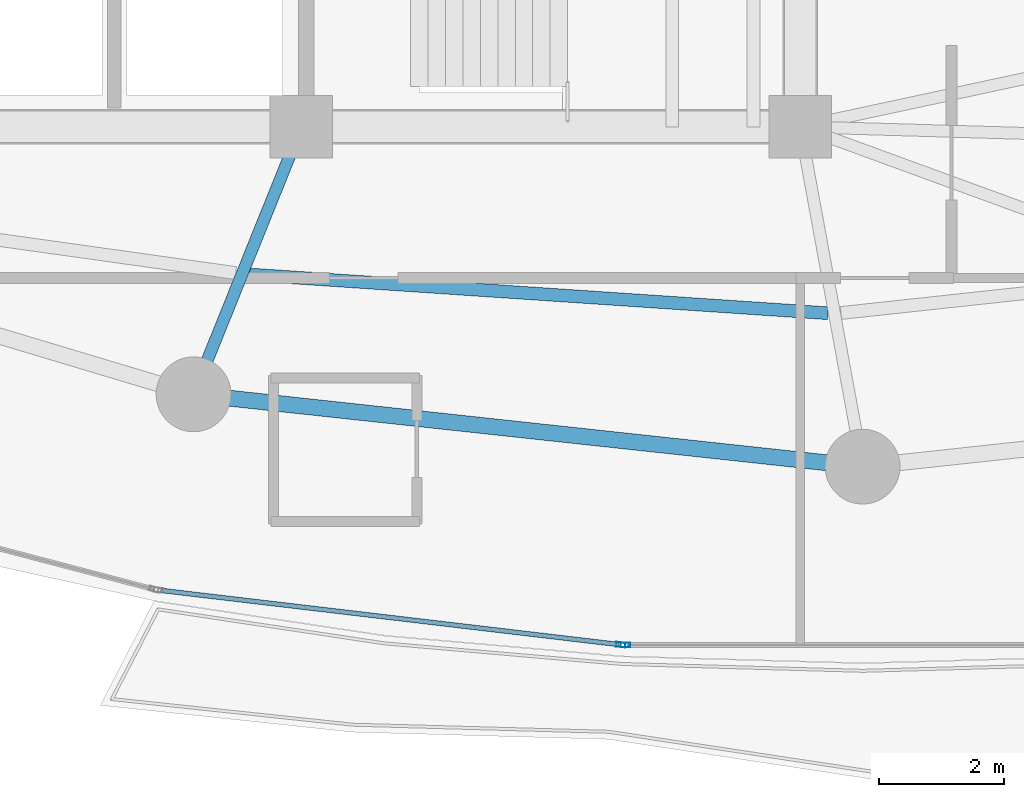
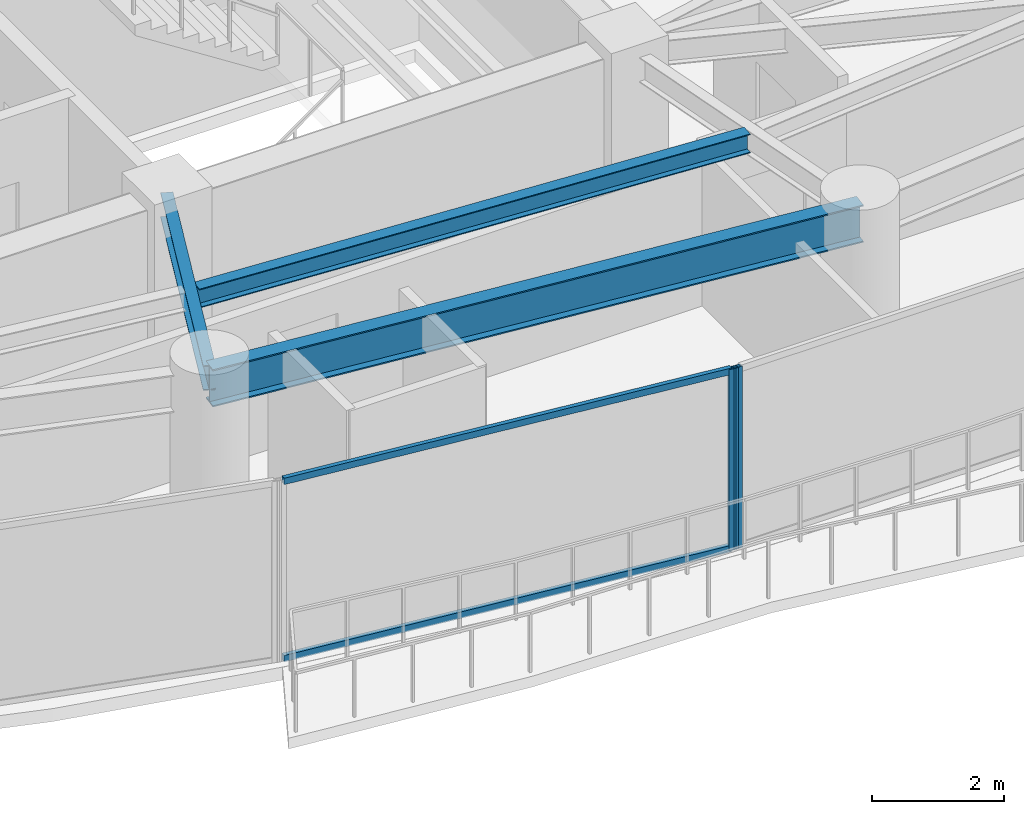
# One storey, part 6 of 34: 4 members, 3 beams, 2 elements without a shape of their own.
"""IFC4 building model written with IfcOpenShell, lengths in metres."""

from ifc_helpers import new_model, si_unit, direction, frame, origin, origin_2d, place, context, subcontext, project, spatial, hollow_rectangle, i_section, extrude, material, layer, layer_set, material_profile, profile_set, type_object, element, aggregate, save


model = new_model("IFC4")

# Units and contexts
model_context = context("Model", 3, precision=1e-05, world=origin(), true_north=direction((0.0, 1.0)))
body_context = subcontext(model_context, "Body", "Model", "MODEL_VIEW")
ifc_project = project(units=[si_unit("LENGTHUNIT", "METRE"), si_unit("AREAUNIT", "SQUARE_METRE"), si_unit("VOLUMEUNIT", "CUBIC_METRE"), si_unit("PLANEANGLEUNIT", "RADIAN"), si_unit("MASSUNIT", "GRAM", prefix="KILO")], contexts=[model_context])

# Site, building, storey
site_placement = place(None, origin())
site = spatial("IfcSite", under=ifc_project, at=site_placement, CompositionType="ELEMENT")
building_placement = place(site_placement, origin())
building = spatial("IfcBuilding", under=site, at=building_placement, Name="Kazevale Care Tower and Concert Hall", CompositionType="ELEMENT")
storey_placement = place(building_placement, frame((0.0, 0.0, 163.800048828125)))
storey = spatial("IfcBuildingStorey", under=building, at=storey_placement, Name="L43", CompositionType="ELEMENT", Elevation=163.800048828125)

# Curtain wall, member
ifc_material_1 = material(Name="Aluminium 6063-T6 and Low-E Glass", Category="aluminium")
ifc_layer = layer(ifc_material_1, 0.179931640625)
ifc_layer_set = layer_set([ifc_layer], Name="Aluminium 6063-T6 and Low-E Glass")
curtain_wall_type = type_object("IfcCurtainWallType", Name="Sheltered Concave Balcony Curtain Wall CW-5", PredefinedType="NOTDEFINED", material=ifc_layer_set)
curtain_wall_1_placement = place(storey_placement, origin())
curtain_wall_1 = element("IfcCurtainWall", 1, at=curtain_wall_1_placement, inside=storey, type_object=curtain_wall_type, Name="cw:L43:f06", PredefinedType="NOTDEFINED")
ifc_material_2 = material(Name="Aluminium 6063-T6", Category="aluminium")
ifc_material_profile_1 = material_profile(ifc_material_2, hollow_rectangle(XDim=0.074951171875, YDim=0.14990234375, WallThickness=0.00390625, at=origin_2d()), Name="ALU75x150x4")
ifc_profile_set_1 = profile_set([ifc_material_profile_1], Name="Aluminium 6063-T6")
member_type_1 = type_object("IfcMemberType", Name="CW-5 Mullion ALU75x150x4", PredefinedType="MULLION", material=ifc_profile_set_1)
member_1_placement = place(storey_placement, frame((41.196533203125, 15.2890625, 0.0), z_axis=(0.0, 0.0, 1.0), x_axis=(0.0, -1.0, 0.0)))
member_1 = element("IfcMember", 2, at=member_1_placement, type_object=member_type_1, Name="CW-5 mullion 2", PredefinedType="MULLION", context=body_context, shape_type="SweptSolid", body=[
    extrude(hollow_rectangle(XDim=0.074951171875, YDim=0.14990234375, WallThickness=0.00390625, at=origin_2d()), origin(), (0.0, 0.0, 1.0), 3.35986328125),
])
aggregate(curtain_wall_1, [member_1])

# Curtain wall, members
curtain_wall_2_placement = place(storey_placement, origin())
curtain_wall_2 = element("IfcCurtainWall", 3, at=curtain_wall_2_placement, inside=storey, type_object=curtain_wall_type, Name="cw:L43:f07", PredefinedType="NOTDEFINED")
member_2_placement = place(storey_placement, frame((41.121826171875, 15.29345703125, 0.0), z_axis=(0.0, 0.0, 1.0), x_axis=(-0.117372179238, -0.993087997884, 0.0)))
member_2 = element("IfcMember", 4, at=member_2_placement, type_object=member_type_1, Name="CW-5 mullion 1", PredefinedType="MULLION", context=body_context, shape_type="SweptSolid", body=[
    extrude(hollow_rectangle(XDim=0.074951171875, YDim=0.14990234375, WallThickness=0.00390625, at=origin_2d()), origin(), (0.0, 0.0, 1.0), 3.35986328125),
])
ifc_material_profile_2 = material_profile(ifc_material_2, hollow_rectangle(XDim=0.074951171875, YDim=0.1201171875, WallThickness=0.00390625, at=origin_2d()), Name="ALU75x120x4")
ifc_profile_set_2 = profile_set([ifc_material_profile_2], Name="Aluminium 6063-T6")
member_type_2 = type_object("IfcMemberType", Name="CW-5 Transom ALU75x120x4", PredefinedType="USERDEFINED", material=ifc_profile_set_2)
member_3_placement = place(storey_placement, frame((41.08447265625, 15.2978515625, 0.037353515625), z_axis=(-0.993087545854, 0.117376003806, 0.0), x_axis=(-0.117376003806, -0.993087545854, 0.0)))
member_3 = element("IfcMember", 5, at=member_3_placement, type_object=member_type_2, Name="CW-5 transom 1.1", ObjectType="TRANSOM", PredefinedType="USERDEFINED", context=body_context, shape_type="SweptSolid", body=[
    extrude(hollow_rectangle(XDim=0.074951171875, YDim=0.1201171875, WallThickness=0.00390625, at=origin_2d()), origin(), (0.0, 0.0, 1.0), 7.39013671875),
])
member_4_placement = place(storey_placement, frame((41.08447265625, 15.2978515625, 3.322509765625), z_axis=(-0.993087545854, 0.117376003806, 0.0), x_axis=(-0.117376003806, -0.993087545854, 0.0)))
member_4 = element("IfcMember", 6, at=member_4_placement, type_object=member_type_2, Name="CW-5 transom 1.2", ObjectType="TRANSOM", PredefinedType="USERDEFINED", context=body_context, shape_type="SweptSolid", body=[
    extrude(hollow_rectangle(XDim=0.074951171875, YDim=0.1201171875, WallThickness=0.00390625, at=origin_2d()), origin(), (0.0, 0.0, 1.0), 7.39013671875),
])
aggregate(curtain_wall_2, [member_2, member_3, member_4])

# Beams
ifc_material_3 = material(Name="Steel ASTM A572 Gr 50", Category="steel")
ifc_material_profile_3 = material_profile(ifc_material_3, i_section(OverallWidth=0.19091796875, OverallDepth=0.4599609375, WebThickness=0.010009765625, FlangeThickness=0.01611328125, at=origin_2d()), Name="W460x82")
ifc_profile_set_3 = profile_set([ifc_material_profile_3], Name="Steel ASTM A572 Gr 50")
beam_type_1 = type_object("IfcBeamType", Name="Radial Floor Beam W460x82", PredefinedType="BEAM", material=ifc_profile_set_3)
beam_1_placement = place(storey_placement, frame((36.0, 23.60009765625, 3.1298828125), z_axis=(-0.373991766452, -0.927432023722, 0.0), x_axis=(0.927432023722, -0.373991766452, 0.0)))
element("IfcBeam", 7, at=beam_1_placement, inside=storey, type_object=beam_type_1, Name="beam:L43:rad:12", PredefinedType="BEAM", context=body_context, shape_type="SweptSolid", body=[
    extrude(i_section(OverallWidth=0.19091796875, OverallDepth=0.4599609375, WebThickness=0.010009765625, FlangeThickness=0.01611328125, at=origin_2d()), origin(), (0.0, 0.0, 1.0), 4.625732421875),
])
ifc_material_profile_4 = material_profile(ifc_material_3, i_section(OverallWidth=0.205078125, OverallDepth=0.35400390625, WebThickness=0.009521484375, FlangeThickness=0.016845703125, at=origin_2d()), Name="W360x79")
ifc_profile_set_4 = profile_set([ifc_material_profile_4], Name="Steel ASTM A572 Gr 50")
beam_type_2 = type_object("IfcBeamType", Name="Secondary Floor Joist W360x79", PredefinedType="JOIST", material=ifc_profile_set_4)
beam_2_placement = place(storey_placement, frame((35.153076171875, 21.23291015625, 3.182861328125), z_axis=(0.997761314569, -0.06687569925, 0.0), x_axis=(0.06687569925, 0.997761314569, 0.0)))
element("IfcBeam", 8, at=beam_2_placement, inside=storey, type_object=beam_type_2, Name="beam:L43:joist:12", PredefinedType="JOIST", context=body_context, shape_type="SweptSolid", body=[
    extrude(i_section(OverallWidth=0.205078125, OverallDepth=0.35400390625, WebThickness=0.009521484375, FlangeThickness=0.016845703125, at=origin_2d()), origin(), (0.0, 0.0, 1.0), 9.312744140625),
])
ifc_material_profile_5 = material_profile(ifc_material_3, i_section(OverallWidth=0.256103515625, OverallDepth=0.693115234375, WebThickness=0.014404296875, FlangeThickness=0.023681640625, at=origin_2d()), Name="W690x170")
ifc_profile_set_5 = profile_set([ifc_material_profile_5], Name="Steel ASTM A572 Gr 50")
beam_type_3 = type_object("IfcBeamType", Name="Waist Ring Beam W690x170", PredefinedType="BEAM", material=ifc_profile_set_5)
beam_3_placement = place(storey_placement, frame((34.27001953125, 19.31005859375, 3.013427734375), z_axis=(0.994205479487, -0.107496346724, 0.0), x_axis=(0.107496346724, 0.994205479487, 0.0)))
element("IfcBeam", 9, at=beam_3_placement, inside=storey, type_object=beam_type_3, Name="beam:L43:ring:12", PredefinedType="BEAM", context=body_context, shape_type="SweptSolid", body=[
    extrude(i_section(OverallWidth=0.256103515625, OverallDepth=0.693115234375, WebThickness=0.014404296875, FlangeThickness=0.023681640625, at=origin_2d()), origin(), (0.0, 0.0, 1.0), 10.79248046875),
])

save(model, "model.ifc")
